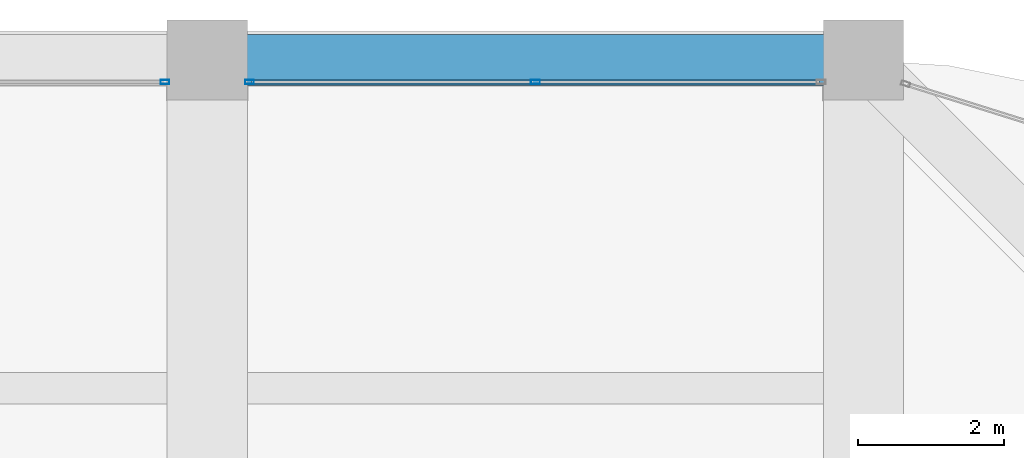
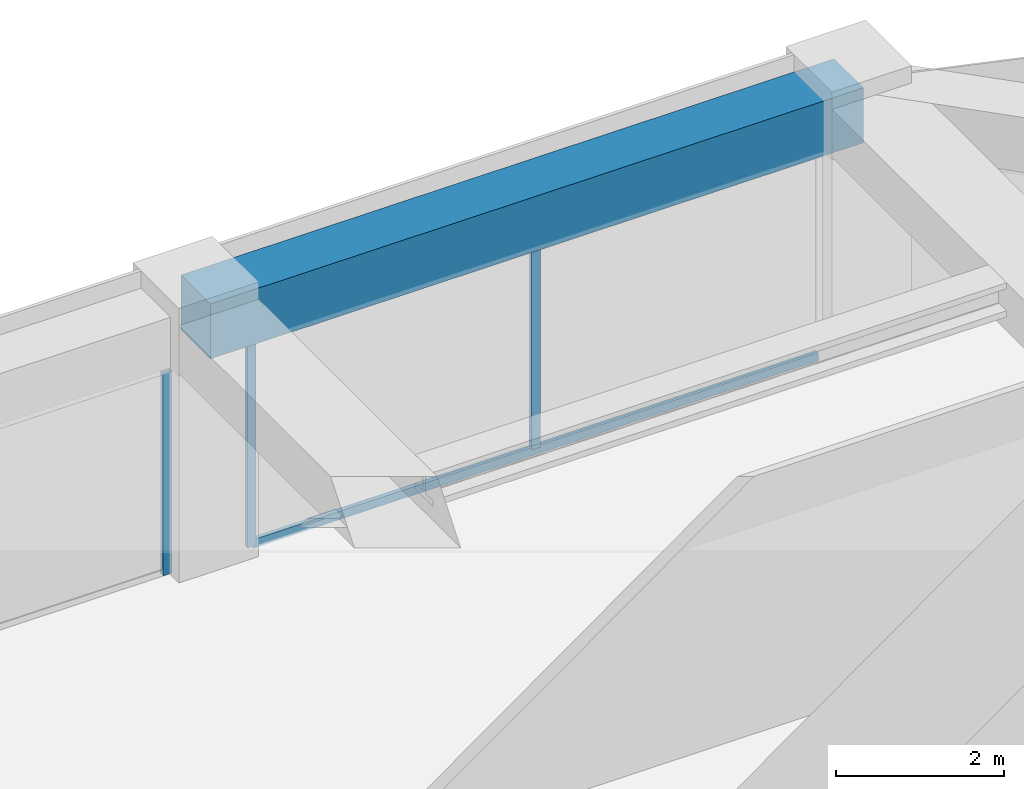
# One storey, part 35 of 44: 4 members, 1 beam, 2 elements without a shape of their own.
"""IFC4 building model written with IfcOpenShell, lengths in metres."""

from ifc_helpers import new_model, si_unit, direction, frame, origin, origin_2d, place, context, subcontext, project, spatial, rectangle, hollow_rectangle, extrude, material, material_profile, profile_set, type_object, element, aggregate, save


model = new_model("IFC4")

# Units and contexts
model_context = context("Model", 3, precision=1e-05, world=origin(), true_north=direction((0.0, 1.0)))
body_context = subcontext(model_context, "Body", "Model", "MODEL_VIEW")
ifc_project = project(units=[si_unit("LENGTHUNIT", "METRE"), si_unit("AREAUNIT", "SQUARE_METRE"), si_unit("VOLUMEUNIT", "CUBIC_METRE"), si_unit("PLANEANGLEUNIT", "RADIAN"), si_unit("MASSUNIT", "GRAM", prefix="KILO")], contexts=[model_context])

# Site, building, storey
site_placement = place(None, origin())
site = spatial("IfcSite", under=ifc_project, at=site_placement, CompositionType="ELEMENT")
building_placement = place(site_placement, origin())
building = spatial("IfcBuilding", under=site, at=building_placement, Name="Zorevar Civic Tower", CompositionType="ELEMENT")
storey_placement = place(building_placement, frame((0.0, 0.0, 259.39990234375)))
storey = spatial("IfcBuildingStorey", under=building, at=storey_placement, Name="L63", CompositionType="ELEMENT", Elevation=259.39990234375)

# Curtain wall, member
ifc_material_1 = material(Name="Dark grey solar-control glass in black aluminium frame", Category="aluminium")
curtain_wall_type = type_object("IfcCurtainWallType", Name="Curtain wall CW5 top zone", PredefinedType="NOTDEFINED", material=ifc_material_1)
curtain_wall_1_placement = place(storey_placement, origin())
curtain_wall_1 = element("IfcCurtainWall", 1, at=curtain_wall_1_placement, inside=storey, type_object=curtain_wall_type, Name="CW5 L63", PredefinedType="NOTDEFINED")
ifc_material_2 = material(Name="Aluminium, black anodised", Category="aluminium")
ifc_material_profile_1 = material_profile(ifc_material_2, hollow_rectangle(XDim=0.06005859375, YDim=0.1201171875, WallThickness=0.0029296875, at=origin_2d()), Name="AL 120x60x3")
ifc_profile_set_1 = profile_set([ifc_material_profile_1], Name="Aluminium, black anodised")
member_type_1 = type_object("IfcMemberType", Name="CW5 mullion AL 120x60x3", PredefinedType="MULLION", material=ifc_profile_set_1)
member_1_placement = place(storey_placement, frame((35.419921875, 44.699951171875, 0.0), z_axis=(0.0, 0.0, 1.0), x_axis=(0.0, 1.0, 0.0)))
member_1 = element("IfcMember", 2, at=member_1_placement, type_object=member_type_1, Name="CW5 mullion 3", PredefinedType="MULLION", context=body_context, shape_type="SweptSolid", body=[
    extrude(hollow_rectangle(XDim=0.06005859375, YDim=0.1201171875, WallThickness=0.0029296875, at=origin_2d()), origin(), (0.0, 0.0, 1.0), 2.9501953125),
])
aggregate(curtain_wall_1, [member_1])

# Curtain wall, members
curtain_wall_2_placement = place(storey_placement, origin())
curtain_wall_2 = element("IfcCurtainWall", 3, at=curtain_wall_2_placement, inside=storey, type_object=curtain_wall_type, Name="CW5 L63", PredefinedType="NOTDEFINED")
member_2_placement = place(storey_placement, frame((36.580078125, 44.699951171875, 0.0), z_axis=(0.0, 0.0, 1.0), x_axis=(0.0, 1.0, 0.0)))
member_2 = element("IfcMember", 4, at=member_2_placement, type_object=member_type_1, Name="CW5 mullion 1", PredefinedType="MULLION", context=body_context, shape_type="SweptSolid", body=[
    extrude(hollow_rectangle(XDim=0.06005859375, YDim=0.1201171875, WallThickness=0.0029296875, at=origin_2d()), origin(), (0.0, 0.0, 1.0), 2.9501953125),
])
member_3_placement = place(storey_placement, frame((40.5, 44.699951171875, 0.06005859375), z_axis=(0.0, 0.0, 1.0), x_axis=(0.0, 1.0, 0.0)))
member_3 = element("IfcMember", 5, at=member_3_placement, type_object=member_type_1, Name="CW5 mullion 2", PredefinedType="MULLION", context=body_context, shape_type="SweptSolid", body=[
    extrude(hollow_rectangle(XDim=0.06005859375, YDim=0.1201171875, WallThickness=0.0029296875, at=origin_2d()), origin(), (0.0, 0.0, 1.0), 2.89013671875),
])
ifc_material_3 = material(Name="Aluminium, black anodised", Category="aluminium")
ifc_material_profile_2 = material_profile(ifc_material_3, hollow_rectangle(XDim=0.06005859375, YDim=0.1201171875, WallThickness=0.0029296875, at=origin_2d()), Name="AL 120x60x3")
ifc_profile_set_2 = profile_set([ifc_material_profile_2], Name="Aluminium, black anodised")
member_type_2 = type_object("IfcMemberType", Name="CW5 transom AL 120x60x3", PredefinedType="USERDEFINED", material=ifc_profile_set_2)
member_4_placement = place(storey_placement, frame((36.610107421875, 44.699951171875, 0.030029296875), z_axis=(1.0, 0.0, 0.0), x_axis=(0.0, 1.0, 0.0)))
member_4 = element("IfcMember", 6, at=member_4_placement, type_object=member_type_2, Name="CW5 sill transom", ObjectType="TRANSOM", PredefinedType="USERDEFINED", context=body_context, shape_type="SweptSolid", body=[
    extrude(hollow_rectangle(XDim=0.06005859375, YDim=0.1201171875, WallThickness=0.0029296875, at=origin_2d()), origin(), (0.0, 0.0, 1.0), 7.77978515625),
])
aggregate(curtain_wall_2, [member_2, member_3, member_4])

# Beam
ifc_material_4 = material(Name="Concrete C50/60", Category="concrete")
ifc_material_profile_3 = material_profile(ifc_material_4, rectangle(XDim=0.699951171875, YDim=0.800048828125, at=origin_2d()), Name="RC 700x800")
ifc_profile_set_3 = profile_set([ifc_material_profile_3], Name="Concrete C50/60")
beam_type = type_object("IfcBeamType", Name="Edge beam RC 700x800", PredefinedType="SPANDREL", material=ifc_profile_set_3)
beam_placement = place(storey_placement, frame((36.0, 45.0, 3.35009765625), z_axis=(1.0, 0.0, 0.0), x_axis=(0.0, 1.0, 0.0)))
element("IfcBeam", 7, at=beam_placement, inside=storey, type_object=beam_type, Name="Edge beam L64", PredefinedType="SPANDREL", context=body_context, shape_type="SweptSolid", body=[
    extrude(rectangle(XDim=0.699951171875, YDim=0.800048828125, at=origin_2d()), origin(), (0.0, 0.0, 1.0), 9.0),
])

save(model, "model.ifc")
